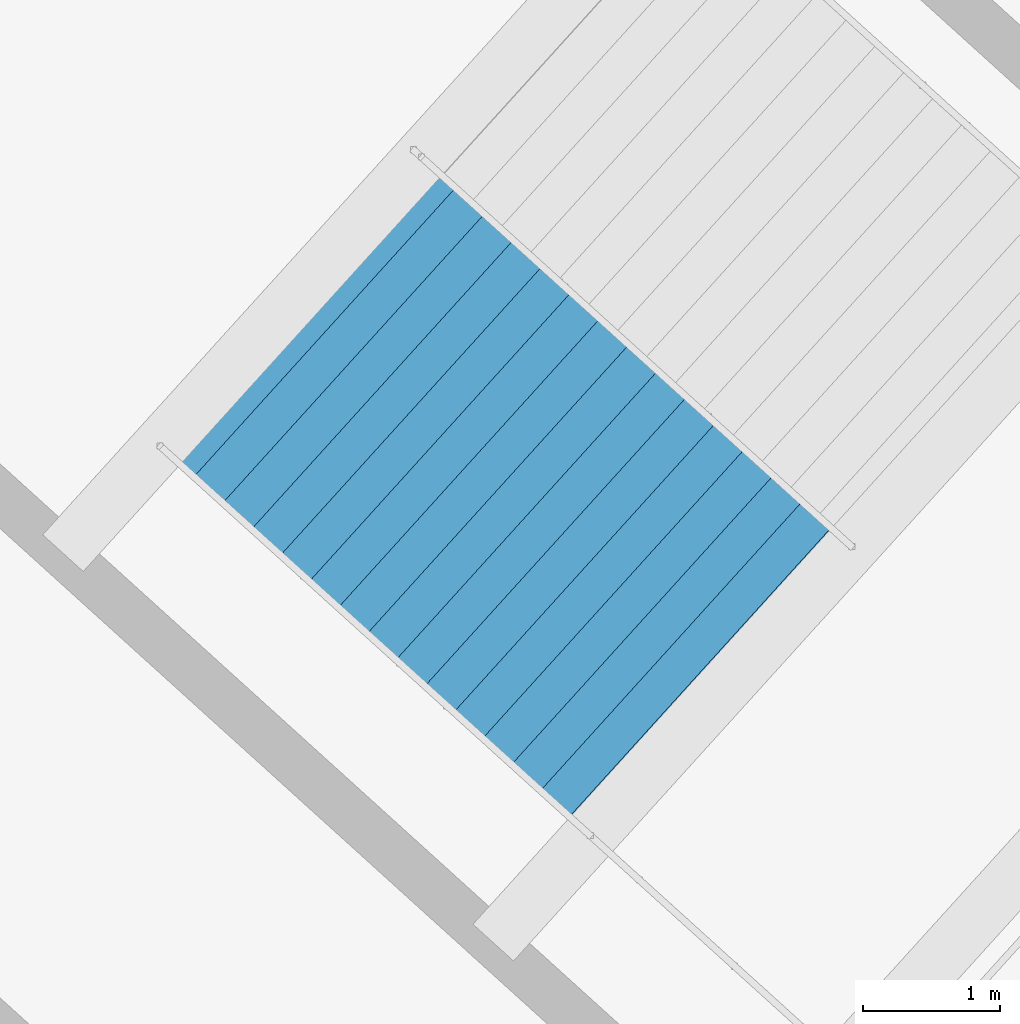
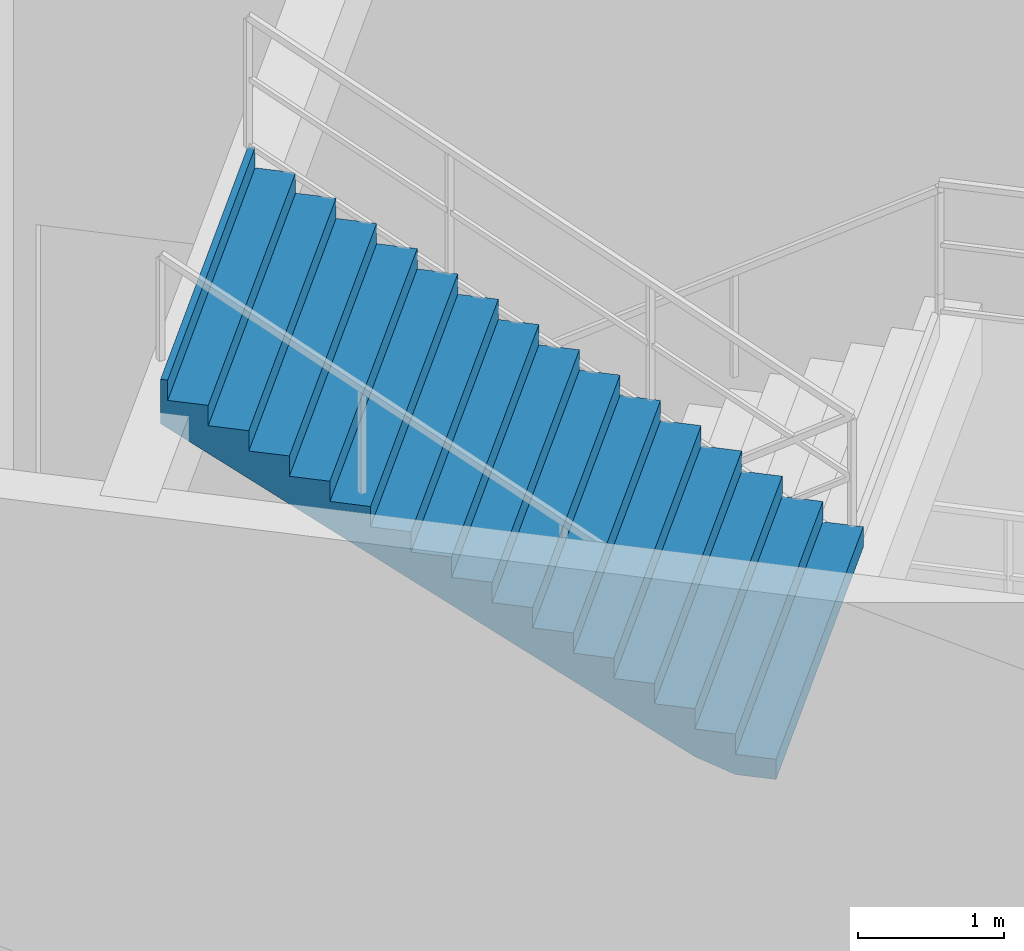
# One storey, part 74 of 86: 1 stair flight, 1 element without a shape of its own.
"""IFC4 building model written with IfcOpenShell, lengths in metres."""

from ifc_helpers import new_model, si_unit, direction, frame, origin, place, context, subcontext, project, spatial, polygons, material, type_object, element, aggregate, save


model = new_model("IFC4")

# Units and contexts
model_context = context("Model", 3, precision=1e-05, world=origin(), true_north=direction((0.0, 1.0)))
body_context = subcontext(model_context, "Body", "Model", "MODEL_VIEW")
ifc_project = project(units=[si_unit("LENGTHUNIT", "METRE"), si_unit("AREAUNIT", "SQUARE_METRE"), si_unit("VOLUMEUNIT", "CUBIC_METRE"), si_unit("PLANEANGLEUNIT", "RADIAN"), si_unit("MASSUNIT", "GRAM", prefix="KILO")], contexts=[model_context])

# Site, building, storey
site_placement = place(None, origin())
site = spatial("IfcSite", under=ifc_project, at=site_placement, CompositionType="ELEMENT")
building_placement = place(site_placement, origin())
building = spatial("IfcBuilding", under=site, at=building_placement, Name="Kazemori Nagisa Stadium", CompositionType="ELEMENT")
storey_placement = place(building_placement, frame((0.0, 0.0, 31.280029296875)))
storey = spatial("IfcBuildingStorey", under=building, at=storey_placement, Name="L06", CompositionType="ELEMENT", Elevation=31.280029296875)

# Stair, stair flight
ifc_material = material(Name="Concrete C36/45 (Fc36)", Category="concrete")
stair_type = type_object("IfcStairType", Name="Stair_CORE_32", PredefinedType="TWO_STRAIGHT_RUN_STAIR", material=ifc_material)
stair_placement = place(storey_placement, origin())
stair = element("IfcStair", 1, at=stair_placement, inside=storey, type_object=stair_type, Name="Exit stair ST03 L06", PredefinedType="TWO_STRAIGHT_RUN_STAIR")
stair_flight_type = type_object("IfcStairFlightType", Name="Flight_CORE_16", PredefinedType="STRAIGHT", material=ifc_material)
stair_flight_placement = place(storey_placement, frame((55.4609375, 42.593994140625, 2.719970703125), z_axis=(0.0, 0.0, 1.0), x_axis=(-0.741357156534, 0.671110696127, 0.0)))
stair_flight = element("IfcStairFlight", 2, at=stair_flight_placement, type_object=stair_flight_type, Name="Exit stair ST03 L06 flight 2", NumberOfRisers=16, NumberOfTreads=15, PredefinedType="STRAIGHT", RiserHeight=0.17, TreadLength=0.285, context=body_context, shape_type="Tessellation", body=[
    polygons([(0.0, -1.425048828125, 0.0), (0.0, -1.425048828125, 0.169921875), (0.284912109375, -1.425048828125, 0.169921875), (0.284912109375, -1.425048828125, 0.340087890625), (0.570068359375, -1.425048828125, 0.340087890625), (0.570068359375, -1.425048828125, 0.510009765625), (0.85498046875, -1.425048828125, 0.510009765625), (0.85498046875, -1.425048828125, 0.679931640625), (1.139892578125, -1.425048828125, 0.679931640625), (1.139892578125, -1.425048828125, 0.85009765625), (1.425048828125, -1.425048828125, 0.85009765625), (1.425048828125, -1.425048828125, 1.02001953125), (1.7099609375, -1.425048828125, 1.02001953125), (1.7099609375, -1.425048828125, 1.18994140625), (1.9951171875, -1.425048828125, 1.18994140625), (1.9951171875, -1.425048828125, 1.360107421875), (2.280029296875, -1.425048828125, 1.360107421875), (2.280029296875, -1.425048828125, 1.530029296875), (2.56494140625, -1.425048828125, 1.530029296875), (2.56494140625, -1.425048828125, 1.699951171875), (2.85009765625, -1.425048828125, 1.699951171875), (2.85009765625, -1.425048828125, 1.8701171875), (3.135009765625, -1.425048828125, 1.8701171875), (3.135009765625, -1.425048828125, 2.0400390625), (3.419921875, -1.425048828125, 2.0400390625), (3.419921875, -1.425048828125, 2.2099609375), (3.705078125, -1.425048828125, 2.2099609375), (3.705078125, -1.425048828125, 2.3798828125), (3.989990234375, -1.425048828125, 2.3798828125), (3.989990234375, -1.425048828125, 2.550048828125), (4.27490234375, -1.425048828125, 2.550048828125), (4.27490234375, -1.425048828125, 2.719970703125), (4.324951171875, -1.425048828125, 2.719970703125), (4.324951171875, -1.425048828125, 2.346923828125), (4.27490234375, -1.425048828125, 2.317138671875), (3.989990234375, -1.425048828125, 2.147216796875), (3.705078125, -1.425048828125, 1.977294921875), (3.419921875, -1.425048828125, 1.80712890625), (3.135009765625, -1.425048828125, 1.63720703125), (2.85009765625, -1.425048828125, 1.46728515625), (2.56494140625, -1.425048828125, 1.297119140625), (2.280029296875, -1.425048828125, 1.127197265625), (1.9951171875, -1.425048828125, 0.957275390625), (1.7099609375, -1.425048828125, 0.787109375), (1.425048828125, -1.425048828125, 0.6171875), (1.139892578125, -1.425048828125, 0.447265625), (0.85498046875, -1.425048828125, 0.277099609375), (0.570068359375, -1.425048828125, 0.107177734375), (0.284912109375, -1.425048828125, 0.0), (0.0, -0.08544921875, 0.0), (0.0, -0.08544921875, 0.169921875), (0.284912109375, -0.08544921875, 0.169921875), (0.284912109375, -0.08544921875, 0.340087890625), (0.570068359375, -0.08544921875, 0.340087890625), (0.570068359375, -0.08544921875, 0.510009765625), (0.85498046875, -0.08544921875, 0.510009765625), (0.85498046875, -0.08544921875, 0.679931640625), (1.139892578125, -0.08544921875, 0.679931640625), (1.139892578125, -0.08544921875, 0.85009765625), (1.425048828125, -0.08544921875, 0.85009765625), (1.425048828125, -0.08544921875, 1.02001953125), (1.7099609375, -0.08544921875, 1.02001953125), (1.7099609375, -0.08544921875, 1.18994140625), (1.9951171875, -0.08544921875, 1.18994140625), (1.9951171875, -0.08544921875, 1.360107421875), (2.280029296875, -0.08544921875, 1.360107421875), (2.280029296875, -0.08544921875, 1.530029296875), (2.56494140625, -0.08544921875, 1.530029296875), (2.56494140625, -0.08544921875, 1.699951171875), (2.85009765625, -0.08544921875, 1.699951171875), (2.85009765625, -0.08544921875, 1.8701171875), (3.135009765625, -0.08544921875, 1.8701171875), (3.135009765625, -0.08544921875, 2.0400390625), (3.419921875, -0.08544921875, 2.0400390625), (3.419921875, -0.08544921875, 2.2099609375), (3.705078125, -0.08544921875, 2.2099609375), (3.705078125, -0.08544921875, 2.3798828125), (3.989990234375, -0.08544921875, 2.3798828125), (3.989990234375, -0.08544921875, 2.550048828125), (4.27490234375, -0.08544921875, 2.550048828125), (4.27490234375, -0.08544921875, 2.719970703125), (4.324951171875, -0.08544921875, 2.719970703125), (4.324951171875, -0.08544921875, 2.346923828125), (4.27490234375, -0.08544921875, 2.317138671875), (3.989990234375, -0.08544921875, 2.147216796875), (3.705078125, -0.08544921875, 1.977294921875), (3.419921875, -0.08544921875, 1.80712890625), (3.135009765625, -0.08544921875, 1.63720703125), (2.85009765625, -0.08544921875, 1.46728515625), (2.56494140625, -0.08544921875, 1.297119140625), (2.280029296875, -0.08544921875, 1.127197265625), (1.9951171875, -0.08544921875, 0.957275390625), (1.7099609375, -0.08544921875, 0.787109375), (1.425048828125, -0.08544921875, 0.6171875), (1.139892578125, -0.08544921875, 0.447265625), (0.85498046875, -0.08544921875, 0.277099609375), (0.570068359375, -0.08544921875, 0.107177734375), (0.284912109375, -0.08544921875, 0.0), (0.0, 0.0, 0.0), (0.0, 0.0, 0.169921875), (0.284912109375, 0.0, 0.169921875), (0.284912109375, 0.0, 0.340087890625), (0.570068359375, 0.0, 0.340087890625), (0.570068359375, 0.0, 0.510009765625), (0.85498046875, 0.0, 0.510009765625), (0.85498046875, 0.0, 0.679931640625), (1.139892578125, 0.0, 0.679931640625), (1.139892578125, 0.0, 0.85009765625), (1.425048828125, 0.0, 0.85009765625), (1.425048828125, 0.0, 1.02001953125), (1.7099609375, 0.0, 1.02001953125), (1.7099609375, 0.0, 1.18994140625), (1.9951171875, 0.0, 1.18994140625), (1.9951171875, 0.0, 1.360107421875), (2.280029296875, 0.0, 1.360107421875), (2.280029296875, 0.0, 1.530029296875), (2.56494140625, 0.0, 1.530029296875), (2.56494140625, 0.0, 1.699951171875), (2.85009765625, 0.0, 1.699951171875), (2.85009765625, 0.0, 1.8701171875), (3.135009765625, 0.0, 1.8701171875), (3.135009765625, 0.0, 2.0400390625), (3.419921875, 0.0, 2.0400390625), (3.419921875, 0.0, 2.2099609375), (3.705078125, 0.0, 2.2099609375), (3.705078125, 0.0, 2.3798828125), (3.989990234375, 0.0, 2.3798828125), (3.989990234375, 0.0, 2.550048828125), (4.27490234375, 0.0, 2.550048828125), (4.27490234375, 0.0, 2.719970703125), (4.324951171875, 0.0, 2.719970703125), (4.324951171875, 0.0, 2.346923828125), (4.27490234375, 0.0, 2.317138671875), (3.989990234375, 0.0, 2.147216796875), (3.705078125, 0.0, 1.977294921875), (3.419921875, 0.0, 1.80712890625), (3.135009765625, 0.0, 1.63720703125), (2.85009765625, 0.0, 1.46728515625), (2.56494140625, 0.0, 1.297119140625), (2.280029296875, 0.0, 1.127197265625), (1.9951171875, 0.0, 0.957275390625), (1.7099609375, 0.0, 0.787109375), (1.425048828125, 0.0, 0.6171875), (1.139892578125, 0.0, 0.447265625), (0.85498046875, 0.0, 0.277099609375), (0.570068359375, 0.0, 0.107177734375), (0.284912109375, 0.0, 0.0), (0.0, 0.08544921875, 0.0), (0.0, 0.08544921875, 0.169921875), (0.284912109375, 0.08544921875, 0.169921875), (0.284912109375, 0.08544921875, 0.340087890625), (0.570068359375, 0.08544921875, 0.340087890625), (0.570068359375, 0.08544921875, 0.510009765625), (0.85498046875, 0.08544921875, 0.510009765625), (0.85498046875, 0.08544921875, 0.679931640625), (1.139892578125, 0.08544921875, 0.679931640625), (1.139892578125, 0.08544921875, 0.85009765625), (1.425048828125, 0.08544921875, 0.85009765625), (1.425048828125, 0.08544921875, 1.02001953125), (1.7099609375, 0.08544921875, 1.02001953125), (1.7099609375, 0.08544921875, 1.18994140625), (1.9951171875, 0.08544921875, 1.18994140625), (1.9951171875, 0.08544921875, 1.360107421875), (2.280029296875, 0.08544921875, 1.360107421875), (2.280029296875, 0.08544921875, 1.530029296875), (2.56494140625, 0.08544921875, 1.530029296875), (2.56494140625, 0.08544921875, 1.699951171875), (2.85009765625, 0.08544921875, 1.699951171875), (2.85009765625, 0.08544921875, 1.8701171875), (3.135009765625, 0.08544921875, 1.8701171875), (3.135009765625, 0.08544921875, 2.0400390625), (3.419921875, 0.08544921875, 2.0400390625), (3.419921875, 0.08544921875, 2.2099609375), (3.705078125, 0.08544921875, 2.2099609375), (3.705078125, 0.08544921875, 2.3798828125), (3.989990234375, 0.08544921875, 2.3798828125), (3.989990234375, 0.08544921875, 2.550048828125), (4.27490234375, 0.08544921875, 2.550048828125), (4.27490234375, 0.08544921875, 2.719970703125), (4.324951171875, 0.08544921875, 2.719970703125), (4.324951171875, 0.08544921875, 2.346923828125), (4.27490234375, 0.08544921875, 2.317138671875), (3.989990234375, 0.08544921875, 2.147216796875), (3.705078125, 0.08544921875, 1.977294921875), (3.419921875, 0.08544921875, 1.80712890625), (3.135009765625, 0.08544921875, 1.63720703125), (2.85009765625, 0.08544921875, 1.46728515625), (2.56494140625, 0.08544921875, 1.297119140625), (2.280029296875, 0.08544921875, 1.127197265625), (1.9951171875, 0.08544921875, 0.957275390625), (1.7099609375, 0.08544921875, 0.787109375), (1.425048828125, 0.08544921875, 0.6171875), (1.139892578125, 0.08544921875, 0.447265625), (0.85498046875, 0.08544921875, 0.277099609375), (0.570068359375, 0.08544921875, 0.107177734375), (0.284912109375, 0.08544921875, 0.0), (0.0, 1.425048828125, 0.0), (0.0, 1.425048828125, 0.169921875), (0.284912109375, 1.425048828125, 0.169921875), (0.284912109375, 1.425048828125, 0.340087890625), (0.570068359375, 1.425048828125, 0.340087890625), (0.570068359375, 1.425048828125, 0.510009765625), (0.85498046875, 1.425048828125, 0.510009765625), (0.85498046875, 1.425048828125, 0.679931640625), (1.139892578125, 1.425048828125, 0.679931640625), (1.139892578125, 1.425048828125, 0.85009765625), (1.425048828125, 1.425048828125, 0.85009765625), (1.425048828125, 1.425048828125, 1.02001953125), (1.7099609375, 1.425048828125, 1.02001953125), (1.7099609375, 1.425048828125, 1.18994140625), (1.9951171875, 1.425048828125, 1.18994140625), (1.9951171875, 1.425048828125, 1.360107421875), (2.280029296875, 1.425048828125, 1.360107421875), (2.280029296875, 1.425048828125, 1.530029296875), (2.56494140625, 1.425048828125, 1.530029296875), (2.56494140625, 1.425048828125, 1.699951171875), (2.85009765625, 1.425048828125, 1.699951171875), (2.85009765625, 1.425048828125, 1.8701171875), (3.135009765625, 1.425048828125, 1.8701171875), (3.135009765625, 1.425048828125, 2.0400390625), (3.419921875, 1.425048828125, 2.0400390625), (3.419921875, 1.425048828125, 2.2099609375), (3.705078125, 1.425048828125, 2.2099609375), (3.705078125, 1.425048828125, 2.3798828125), (3.989990234375, 1.425048828125, 2.3798828125), (3.989990234375, 1.425048828125, 2.550048828125), (4.27490234375, 1.425048828125, 2.550048828125), (4.27490234375, 1.425048828125, 2.719970703125), (4.324951171875, 1.425048828125, 2.719970703125), (4.324951171875, 1.425048828125, 2.346923828125), (4.27490234375, 1.425048828125, 2.317138671875), (3.989990234375, 1.425048828125, 2.147216796875), (3.705078125, 1.425048828125, 1.977294921875), (3.419921875, 1.425048828125, 1.80712890625), (3.135009765625, 1.425048828125, 1.63720703125), (2.85009765625, 1.425048828125, 1.46728515625), (2.56494140625, 1.425048828125, 1.297119140625), (2.280029296875, 1.425048828125, 1.127197265625), (1.9951171875, 1.425048828125, 0.957275390625), (1.7099609375, 1.425048828125, 0.787109375), (1.425048828125, 1.425048828125, 0.6171875), (1.139892578125, 1.425048828125, 0.447265625), (0.85498046875, 1.425048828125, 0.277099609375), (0.570068359375, 1.425048828125, 0.107177734375), (0.284912109375, 1.425048828125, 0.0)], [[[1, 2, 51]], [[1, 51, 50]], [[2, 3, 52]], [[2, 52, 51]], [[3, 4, 53]], [[3, 53, 52]], [[4, 5, 54]], [[4, 54, 53]], [[5, 6, 55]], [[5, 55, 54]], [[6, 7, 56]], [[6, 56, 55]], [[7, 8, 57]], [[7, 57, 56]], [[8, 9, 58]], [[8, 58, 57]], [[9, 10, 59]], [[9, 59, 58]], [[10, 11, 60]], [[10, 60, 59]], [[11, 12, 61]], [[11, 61, 60]], [[12, 13, 62]], [[12, 62, 61]], [[13, 14, 63]], [[13, 63, 62]], [[14, 15, 64]], [[14, 64, 63]], [[15, 16, 65]], [[15, 65, 64]], [[16, 17, 66]], [[16, 66, 65]], [[17, 18, 67]], [[17, 67, 66]], [[18, 19, 68]], [[18, 68, 67]], [[19, 20, 69]], [[19, 69, 68]], [[20, 21, 70]], [[20, 70, 69]], [[21, 22, 71]], [[21, 71, 70]], [[22, 23, 72]], [[22, 72, 71]], [[23, 24, 73]], [[23, 73, 72]], [[24, 25, 74]], [[24, 74, 73]], [[25, 26, 75]], [[25, 75, 74]], [[26, 27, 76]], [[26, 76, 75]], [[27, 28, 77]], [[27, 77, 76]], [[28, 29, 78]], [[28, 78, 77]], [[29, 30, 79]], [[29, 79, 78]], [[30, 31, 80]], [[30, 80, 79]], [[31, 32, 81]], [[31, 81, 80]], [[32, 33, 82]], [[32, 82, 81]], [[33, 34, 83]], [[33, 83, 82]], [[34, 35, 84]], [[34, 84, 83]], [[35, 36, 85]], [[35, 85, 84]], [[36, 37, 86]], [[36, 86, 85]], [[37, 38, 87]], [[37, 87, 86]], [[38, 39, 88]], [[38, 88, 87]], [[39, 40, 89]], [[39, 89, 88]], [[40, 41, 90]], [[40, 90, 89]], [[41, 42, 91]], [[41, 91, 90]], [[42, 43, 92]], [[42, 92, 91]], [[43, 44, 93]], [[43, 93, 92]], [[44, 45, 94]], [[44, 94, 93]], [[45, 46, 95]], [[45, 95, 94]], [[46, 47, 96]], [[46, 96, 95]], [[47, 48, 97]], [[47, 97, 96]], [[48, 49, 98]], [[48, 98, 97]], [[49, 1, 50]], [[49, 50, 98]], [[50, 51, 100]], [[50, 100, 99]], [[51, 52, 101]], [[51, 101, 100]], [[52, 53, 102]], [[52, 102, 101]], [[53, 54, 103]], [[53, 103, 102]], [[54, 55, 104]], [[54, 104, 103]], [[55, 56, 105]], [[55, 105, 104]], [[56, 57, 106]], [[56, 106, 105]], [[57, 58, 107]], [[57, 107, 106]], [[58, 59, 108]], [[58, 108, 107]], [[59, 60, 109]], [[59, 109, 108]], [[60, 61, 110]], [[60, 110, 109]], [[61, 62, 111]], [[61, 111, 110]], [[62, 63, 112]], [[62, 112, 111]], [[63, 64, 113]], [[63, 113, 112]], [[64, 65, 114]], [[64, 114, 113]], [[65, 66, 115]], [[65, 115, 114]], [[66, 67, 116]], [[66, 116, 115]], [[67, 68, 117]], [[67, 117, 116]], [[68, 69, 118]], [[68, 118, 117]], [[69, 70, 119]], [[69, 119, 118]], [[70, 71, 120]], [[70, 120, 119]], [[71, 72, 121]], [[71, 121, 120]], [[72, 73, 122]], [[72, 122, 121]], [[73, 74, 123]], [[73, 123, 122]], [[74, 75, 124]], [[74, 124, 123]], [[75, 76, 125]], [[75, 125, 124]], [[76, 77, 126]], [[76, 126, 125]], [[77, 78, 127]], [[77, 127, 126]], [[78, 79, 128]], [[78, 128, 127]], [[79, 80, 129]], [[79, 129, 128]], [[80, 81, 130]], [[80, 130, 129]], [[81, 82, 131]], [[81, 131, 130]], [[82, 83, 132]], [[82, 132, 131]], [[83, 84, 133]], [[83, 133, 132]], [[84, 85, 134]], [[84, 134, 133]], [[85, 86, 135]], [[85, 135, 134]], [[86, 87, 136]], [[86, 136, 135]], [[87, 88, 137]], [[87, 137, 136]], [[88, 89, 138]], [[88, 138, 137]], [[89, 90, 139]], [[89, 139, 138]], [[90, 91, 140]], [[90, 140, 139]], [[91, 92, 141]], [[91, 141, 140]], [[92, 93, 142]], [[92, 142, 141]], [[93, 94, 143]], [[93, 143, 142]], [[94, 95, 144]], [[94, 144, 143]], [[95, 96, 145]], [[95, 145, 144]], [[96, 97, 146]], [[96, 146, 145]], [[97, 98, 147]], [[97, 147, 146]], [[98, 50, 99]], [[98, 99, 147]], [[99, 100, 149]], [[99, 149, 148]], [[100, 101, 150]], [[100, 150, 149]], [[101, 102, 151]], [[101, 151, 150]], [[102, 103, 152]], [[102, 152, 151]], [[103, 104, 153]], [[103, 153, 152]], [[104, 105, 154]], [[104, 154, 153]], [[105, 106, 155]], [[105, 155, 154]], [[106, 107, 156]], [[106, 156, 155]], [[107, 108, 157]], [[107, 157, 156]], [[108, 109, 158]], [[108, 158, 157]], [[109, 110, 159]], [[109, 159, 158]], [[110, 111, 160]], [[110, 160, 159]], [[111, 112, 161]], [[111, 161, 160]], [[112, 113, 162]], [[112, 162, 161]], [[113, 114, 163]], [[113, 163, 162]], [[114, 115, 164]], [[114, 164, 163]], [[115, 116, 165]], [[115, 165, 164]], [[116, 117, 166]], [[116, 166, 165]], [[117, 118, 167]], [[117, 167, 166]], [[118, 119, 168]], [[118, 168, 167]], [[119, 120, 169]], [[119, 169, 168]], [[120, 121, 170]], [[120, 170, 169]], [[121, 122, 171]], [[121, 171, 170]], [[122, 123, 172]], [[122, 172, 171]], [[123, 124, 173]], [[123, 173, 172]], [[124, 125, 174]], [[124, 174, 173]], [[125, 126, 175]], [[125, 175, 174]], [[126, 127, 176]], [[126, 176, 175]], [[127, 128, 177]], [[127, 177, 176]], [[128, 129, 178]], [[128, 178, 177]], [[129, 130, 179]], [[129, 179, 178]], [[130, 131, 180]], [[130, 180, 179]], [[131, 132, 181]], [[131, 181, 180]], [[132, 133, 182]], [[132, 182, 181]], [[133, 134, 183]], [[133, 183, 182]], [[134, 135, 184]], [[134, 184, 183]], [[135, 136, 185]], [[135, 185, 184]], [[136, 137, 186]], [[136, 186, 185]], [[137, 138, 187]], [[137, 187, 186]], [[138, 139, 188]], [[138, 188, 187]], [[139, 140, 189]], [[139, 189, 188]], [[140, 141, 190]], [[140, 190, 189]], [[141, 142, 191]], [[141, 191, 190]], [[142, 143, 192]], [[142, 192, 191]], [[143, 144, 193]], [[143, 193, 192]], [[144, 145, 194]], [[144, 194, 193]], [[145, 146, 195]], [[145, 195, 194]], [[146, 147, 196]], [[146, 196, 195]], [[147, 99, 148]], [[147, 148, 196]], [[148, 149, 198]], [[148, 198, 197]], [[149, 150, 199]], [[149, 199, 198]], [[150, 151, 200]], [[150, 200, 199]], [[151, 152, 201]], [[151, 201, 200]], [[152, 153, 202]], [[152, 202, 201]], [[153, 154, 203]], [[153, 203, 202]], [[154, 155, 204]], [[154, 204, 203]], [[155, 156, 205]], [[155, 205, 204]], [[156, 157, 206]], [[156, 206, 205]], [[157, 158, 207]], [[157, 207, 206]], [[158, 159, 208]], [[158, 208, 207]], [[159, 160, 209]], [[159, 209, 208]], [[160, 161, 210]], [[160, 210, 209]], [[161, 162, 211]], [[161, 211, 210]], [[162, 163, 212]], [[162, 212, 211]], [[163, 164, 213]], [[163, 213, 212]], [[164, 165, 214]], [[164, 214, 213]], [[165, 166, 215]], [[165, 215, 214]], [[166, 167, 216]], [[166, 216, 215]], [[167, 168, 217]], [[167, 217, 216]], [[168, 169, 218]], [[168, 218, 217]], [[169, 170, 219]], [[169, 219, 218]], [[170, 171, 220]], [[170, 220, 219]], [[171, 172, 221]], [[171, 221, 220]], [[172, 173, 222]], [[172, 222, 221]], [[173, 174, 223]], [[173, 223, 222]], [[174, 175, 224]], [[174, 224, 223]], [[175, 176, 225]], [[175, 225, 224]], [[176, 177, 226]], [[176, 226, 225]], [[177, 178, 227]], [[177, 227, 226]], [[178, 179, 228]], [[178, 228, 227]], [[179, 180, 229]], [[179, 229, 228]], [[180, 181, 230]], [[180, 230, 229]], [[181, 182, 231]], [[181, 231, 230]], [[182, 183, 232]], [[182, 232, 231]], [[183, 184, 233]], [[183, 233, 232]], [[184, 185, 234]], [[184, 234, 233]], [[185, 186, 235]], [[185, 235, 234]], [[186, 187, 236]], [[186, 236, 235]], [[187, 188, 237]], [[187, 237, 236]], [[188, 189, 238]], [[188, 238, 237]], [[189, 190, 239]], [[189, 239, 238]], [[190, 191, 240]], [[190, 240, 239]], [[191, 192, 241]], [[191, 241, 240]], [[192, 193, 242]], [[192, 242, 241]], [[193, 194, 243]], [[193, 243, 242]], [[194, 195, 244]], [[194, 244, 243]], [[195, 196, 245]], [[195, 245, 244]], [[196, 148, 197]], [[196, 197, 245]], [[3, 2, 1]], [[197, 198, 199]], [[49, 3, 1]], [[197, 199, 245]], [[48, 3, 49]], [[245, 199, 244]], [[5, 3, 48]], [[244, 199, 201]], [[5, 4, 3]], [[199, 200, 201]], [[47, 5, 48]], [[244, 201, 243]], [[7, 5, 47]], [[243, 201, 203]], [[7, 6, 5]], [[201, 202, 203]], [[46, 7, 47]], [[243, 203, 242]], [[9, 7, 46]], [[242, 203, 205]], [[9, 8, 7]], [[203, 204, 205]], [[45, 9, 46]], [[242, 205, 241]], [[11, 9, 45]], [[241, 205, 207]], [[11, 10, 9]], [[205, 206, 207]], [[44, 11, 45]], [[241, 207, 240]], [[13, 11, 44]], [[240, 207, 209]], [[13, 12, 11]], [[207, 208, 209]], [[43, 13, 44]], [[240, 209, 239]], [[15, 13, 43]], [[239, 209, 211]], [[15, 14, 13]], [[209, 210, 211]], [[42, 15, 43]], [[239, 211, 238]], [[17, 15, 42]], [[238, 211, 213]], [[17, 16, 15]], [[211, 212, 213]], [[41, 17, 42]], [[238, 213, 237]], [[19, 17, 41]], [[237, 213, 215]], [[19, 18, 17]], [[213, 214, 215]], [[40, 19, 41]], [[237, 215, 236]], [[21, 19, 40]], [[236, 215, 217]], [[21, 20, 19]], [[215, 216, 217]], [[39, 21, 40]], [[236, 217, 235]], [[23, 21, 39]], [[235, 217, 219]], [[23, 22, 21]], [[217, 218, 219]], [[38, 23, 39]], [[235, 219, 234]], [[25, 23, 38]], [[234, 219, 221]], [[25, 24, 23]], [[219, 220, 221]], [[37, 25, 38]], [[234, 221, 233]], [[27, 25, 37]], [[233, 221, 223]], [[27, 26, 25]], [[221, 222, 223]], [[36, 27, 37]], [[233, 223, 232]], [[29, 27, 36]], [[232, 223, 225]], [[29, 28, 27]], [[223, 224, 225]], [[35, 29, 36]], [[232, 225, 231]], [[31, 29, 35]], [[231, 225, 227]], [[31, 30, 29]], [[225, 226, 227]], [[34, 31, 35]], [[231, 227, 230]], [[33, 31, 34]], [[230, 227, 229]], [[33, 32, 31]], [[227, 228, 229]]], closed=True),
])
aggregate(stair, [stair_flight])

save(model, "model.ifc")
